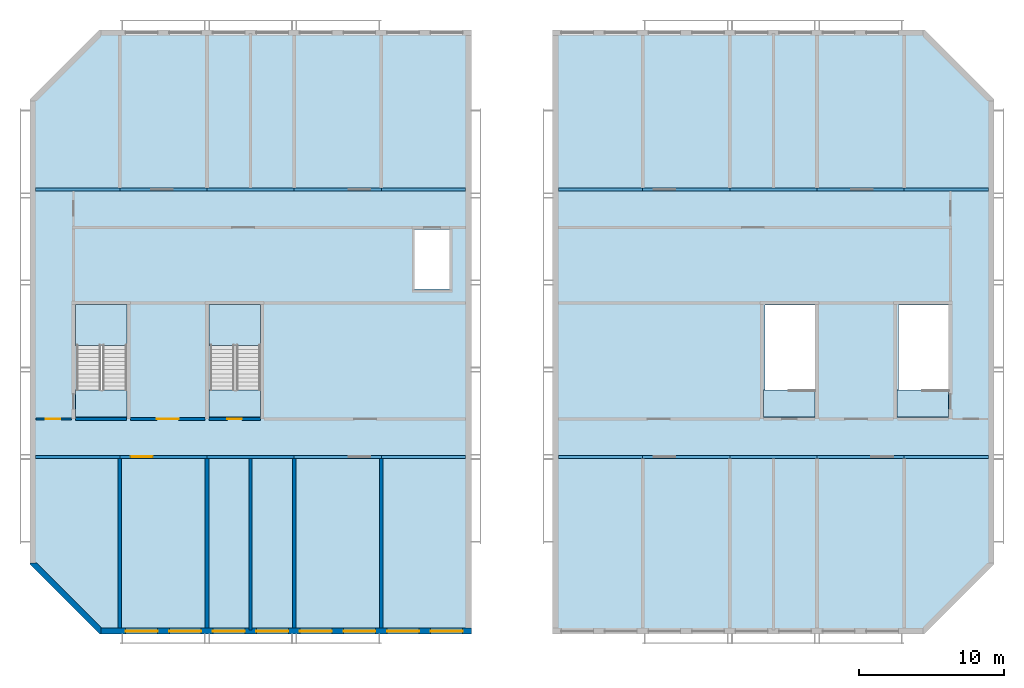
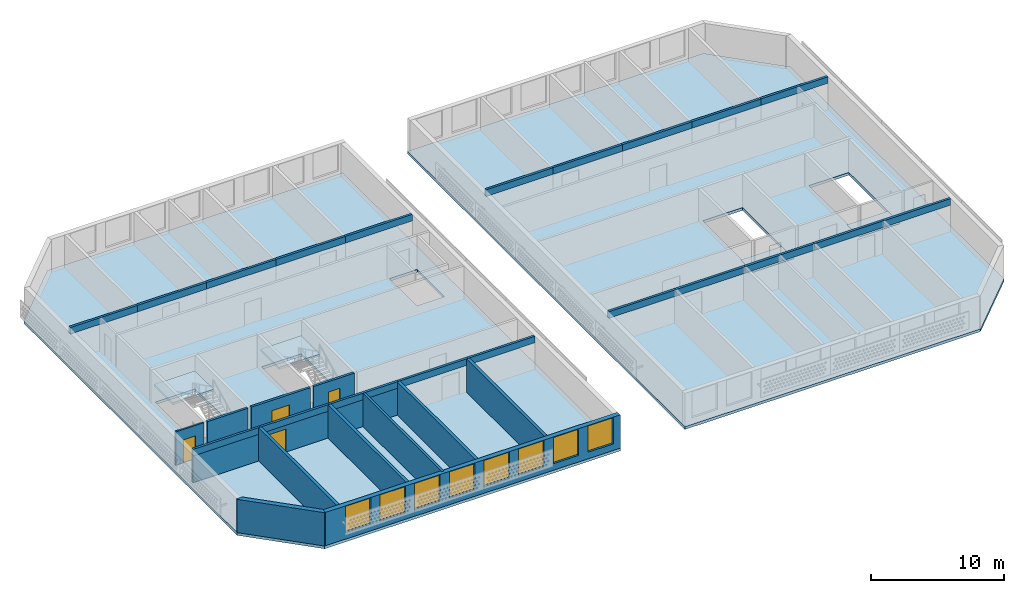
# One storey, part 1 of 16: 20 beams, 14 walls, 8 slabs, 8 windows, 4 doors, 12 openings, 2 elements without a shape of their own.
"""IFC4 building model written with IfcOpenShell, lengths in metres."""

from ifc_helpers import new_model, si_unit, direction, frame, frame_2d, origin, origin_2d, place, context, subcontext, project, spatial, polyline, rectangle, outline, extrude, source, transform, mapped, material, layer, layer_set, material_profile, profile_set, type_object, element, fill, aggregate, save


model = new_model("IFC4")

# Units and contexts
model_context = context("Model", 3, precision=1e-05, world=origin(), true_north=direction((0.0, 1.0)))
body_context = subcontext(model_context, "Body", "Model", "MODEL_VIEW")
ifc_project = project(units=[si_unit("LENGTHUNIT", "METRE"), si_unit("AREAUNIT", "SQUARE_METRE"), si_unit("VOLUMEUNIT", "CUBIC_METRE"), si_unit("PLANEANGLEUNIT", "RADIAN"), si_unit("MASSUNIT", "GRAM", prefix="KILO")], contexts=[model_context])

# Site, building, storey
site_placement = place(None, origin())
site = spatial("IfcSite", under=ifc_project, at=site_placement, CompositionType="ELEMENT")
building_placement = place(site_placement, origin())
building = spatial("IfcBuilding", under=site, at=building_placement, Name="Poui Terraces", CompositionType="ELEMENT")
storey_placement = place(building_placement, frame((0.0, 0.0, 282.300048828125)))
storey = spatial("IfcBuildingStorey", under=building, at=storey_placement, Name="L78 CROWN", CompositionType="ELEMENT", Elevation=282.300048828125)

# Beams
ifc_material_1 = material(Name="Concrete 50 MPa", Category="concrete")
ifc_material_profile = material_profile(ifc_material_1, rectangle(XDim=0.199951171875, YDim=0.60009765625, at=origin_2d()), Name="RC 200x600")
ifc_profile_set = profile_set([ifc_material_profile], Name="Concrete 50 MPa")
beam_type = type_object("IfcBeamType", Name="COUPLING BEAM 200x600 50MPa", PredefinedType="BEAM", material=ifc_profile_set)
shared_shape_1 = source(origin(), body_context, "Body", "SweptSolid", [
    extrude(rectangle(XDim=0.199951171875, YDim=0.60009765625, at=origin_2d()), origin(), (0.0, 0.0, 1.0), 5.800048828125),
])
for number, where, z_axis, x_axis, name in (
    (1, (18.199951171875, 12.0, 2.75), (1.0, 0.0, 0.0), (0.0, 1.0, 0.0), "COUPLING BEAM LINE B BAY W1"),
    (2, (42.0, 12.0, 2.75), (1.0, 0.0, 0.0), (0.0, 1.0, 0.0), "COUPLING BEAM LINE B BAY W5"),
    (3, (18.199951171875, 30.39990234375, 2.75), (1.0, 0.0, 0.0), (0.0, 1.0, 0.0), "COUPLING BEAM LINE E BAY W1"),
    (4, (42.0, 30.39990234375, 2.75), (1.0, 0.0, 0.0), (0.0, 1.0, 0.0), "COUPLING BEAM LINE E BAY W5"),
    (5, (54.199951171875, 12.0, 2.75), (1.0, 0.0, 0.0), (0.0, 1.0, 0.0), "COUPLING BEAM LINE B BAY E1"),
    (6, (78.0, 12.0, 2.75), (1.0, 0.0, 0.0), (0.0, 1.0, 0.0), "COUPLING BEAM LINE B BAY E5"),
    (7, (54.199951171875, 30.39990234375, 2.75), (1.0, 0.0, 0.0), (0.0, 1.0, 0.0), "COUPLING BEAM LINE E BAY E1"),
    (8, (78.0, 30.39990234375, 2.75), (1.0, 0.0, 0.0), (0.0, 1.0, 0.0), "COUPLING BEAM LINE E BAY E5"),
):
    element("IfcBeam", number, at=place(storey_placement, frame(where, z_axis=z_axis, x_axis=x_axis)), inside=storey, type_object=beam_type, Name=name, PredefinedType="BEAM", context=body_context, shape_type="MappedRepresentation", body=[
        mapped(shared_shape_1, transform((0.0, 0.0, 0.0))),
    ])
shared_shape_2 = source(origin(), body_context, "Body", "SweptSolid", [
    extrude(rectangle(XDim=0.199951171875, YDim=0.60009765625, at=origin_2d()), origin(), (0.0, 0.0, 1.0), 6.0),
])
for number, where, z_axis, x_axis, name in (
    (9, (24.0, 12.0, 2.75), (1.0, 0.0, 0.0), (0.0, 1.0, 0.0), "COUPLING BEAM LINE B BAY W2"),
    (10, (30.0, 12.0, 2.75), (1.0, 0.0, 0.0), (0.0, 1.0, 0.0), "COUPLING BEAM LINE B BAY W3"),
    (11, (36.0, 12.0, 2.75), (1.0, 0.0, 0.0), (0.0, 1.0, 0.0), "COUPLING BEAM LINE B BAY W4"),
    (12, (24.0, 30.39990234375, 2.75), (1.0, 0.0, 0.0), (0.0, 1.0, 0.0), "COUPLING BEAM LINE E BAY W2"),
    (13, (30.0, 30.39990234375, 2.75), (1.0, 0.0, 0.0), (0.0, 1.0, 0.0), "COUPLING BEAM LINE E BAY W3"),
    (14, (36.0, 30.39990234375, 2.75), (1.0, 0.0, 0.0), (0.0, 1.0, 0.0), "COUPLING BEAM LINE E BAY W4"),
    (15, (60.0, 12.0, 2.75), (1.0, 0.0, 0.0), (0.0, 1.0, 0.0), "COUPLING BEAM LINE B BAY E2"),
    (16, (66.0, 12.0, 2.75), (1.0, 0.0, 0.0), (0.0, 1.0, 0.0), "COUPLING BEAM LINE B BAY E3"),
    (17, (72.0, 12.0, 2.75), (1.0, 0.0, 0.0), (0.0, 1.0, 0.0), "COUPLING BEAM LINE B BAY E4"),
    (18, (60.0, 30.39990234375, 2.75), (1.0, 0.0, 0.0), (0.0, 1.0, 0.0), "COUPLING BEAM LINE E BAY E2"),
    (19, (66.0, 30.39990234375, 2.75), (1.0, 0.0, 0.0), (0.0, 1.0, 0.0), "COUPLING BEAM LINE E BAY E3"),
    (20, (72.0, 30.39990234375, 2.75), (1.0, 0.0, 0.0), (0.0, 1.0, 0.0), "COUPLING BEAM LINE E BAY E4"),
):
    element("IfcBeam", number, at=place(storey_placement, frame(where, z_axis=z_axis, x_axis=x_axis)), inside=storey, type_object=beam_type, Name=name, PredefinedType="BEAM", context=body_context, shape_type="MappedRepresentation", body=[
        mapped(shared_shape_2, transform((0.0, 0.0, 0.0))),
    ])

# Slab
ifc_layer_1 = layer(ifc_material_1, 0.199951171875)
ifc_layer_set_1 = layer_set([ifc_layer_1], Name="Concrete 50 MPa")
slab_type_1 = type_object("IfcSlabType", Name="STAIR LANDING 200 50 MPA", PredefinedType="LANDING", material=ifc_layer_set_1)
slab_1_placement = place(storey_placement, frame((0.0, 0.0, -0.2001953125)))
element("IfcSlab", 21, at=slab_1_placement, inside=storey, type_object=slab_type_1, Name="ST-CE floor landing L78 CROWN", PredefinedType="LANDING", context=body_context, shape_type="SweptSolid", body=[
    extrude(outline(polyline([(68.324951171875, 14.75), (71.875, 14.75), (71.875, 16.60009765625), (68.324951171875, 16.60009765625), (68.324951171875, 14.75)])), origin(), (0.0, 0.0, 1.0), 0.2001953125),
])

# Stair, slabs
stair_type = type_object("IfcStairType", Name="EXIT STAIR 1650 50 MPA", PredefinedType="HALF_TURN_STAIR", material=ifc_material_1)
stair_1_placement = place(storey_placement, origin())
stair_1 = element("IfcStair", 22, at=stair_1_placement, inside=storey, type_object=stair_type, Name="L78 CROWN CORE STAIR WEST", PredefinedType="HALF_TURN_STAIR")
slab_2_placement = place(storey_placement, frame((0.0, 0.0, 1.449951171875)))
slab_2 = element("IfcSlab", 23, at=slab_2_placement, type_object=slab_type_1, Name="ST-CW landing 1", PredefinedType="LANDING", context=body_context, shape_type="SweptSolid", body=[
    extrude(outline(polyline([(30.125, 19.679931640625), (33.675048828125, 19.679931640625), (33.675048828125, 22.47509765625), (30.125, 22.47509765625), (30.125, 19.679931640625)])), origin(), (0.0, 0.0, 1.0), 0.199951171875),
])
slab_3_placement = place(storey_placement, frame((0.0, 0.0, -0.2001953125)))
slab_3 = element("IfcSlab", 24, at=slab_3_placement, type_object=slab_type_1, Name="ST-CW landing 2", PredefinedType="LANDING", context=body_context, shape_type="SweptSolid", body=[
    extrude(outline(polyline([(30.125, 14.75), (33.675048828125, 14.75), (33.675048828125, 16.60009765625), (30.125, 16.60009765625), (30.125, 14.75)])), origin(), (0.0, 0.0, 1.0), 0.2001953125),
])
aggregate(stair_1, [slab_2, slab_3])

# Slab
slab_4_placement = place(storey_placement, frame((0.0, 0.0, -0.2001953125)))
element("IfcSlab", 25, at=slab_4_placement, inside=storey, type_object=slab_type_1, Name="ST-E floor landing L78 CROWN", PredefinedType="LANDING", context=body_context, shape_type="SweptSolid", body=[
    extrude(outline(polyline([(77.52490234375, 14.75), (81.074951171875, 14.75), (81.074951171875, 16.60009765625), (77.52490234375, 16.60009765625), (77.52490234375, 14.75)])), origin(), (0.0, 0.0, 1.0), 0.2001953125),
])

# Stair, slabs
stair_2_placement = place(storey_placement, origin())
stair_2 = element("IfcStair", 26, at=stair_2_placement, inside=storey, type_object=stair_type, Name="L78 CROWN TIP STAIR WEST", PredefinedType="HALF_TURN_STAIR")
slab_5_placement = place(storey_placement, frame((0.0, 0.0, 1.449951171875)))
slab_5 = element("IfcSlab", 27, at=slab_5_placement, type_object=slab_type_1, Name="ST-W landing 1", PredefinedType="LANDING", context=body_context, shape_type="SweptSolid", body=[
    extrude(outline(polyline([(20.925048828125, 19.679931640625), (24.47509765625, 19.679931640625), (24.47509765625, 22.47509765625), (20.925048828125, 22.47509765625), (20.925048828125, 19.679931640625)])), origin(), (0.0, 0.0, 1.0), 0.199951171875),
])
slab_6_placement = place(storey_placement, frame((0.0, 0.0, -0.2001953125)))
slab_6 = element("IfcSlab", 28, at=slab_6_placement, type_object=slab_type_1, Name="ST-W landing 2", PredefinedType="LANDING", context=body_context, shape_type="SweptSolid", body=[
    extrude(outline(polyline([(20.925048828125, 14.75), (24.47509765625, 14.75), (24.47509765625, 16.60009765625), (20.925048828125, 16.60009765625), (20.925048828125, 14.75)])), origin(), (0.0, 0.0, 1.0), 0.2001953125),
])
aggregate(stair_2, [slab_5, slab_6])

# Slabs
ifc_material_2 = material(Name="Concrete 40 MPa", Category="concrete")
ifc_layer_2 = layer(ifc_material_2, 0.25)
ifc_layer_set_2 = layer_set([ifc_layer_2], Name="Concrete 40 MPa")
slab_type_2 = type_object("IfcSlabType", Name="FLOOR SLAB 250", PredefinedType="FLOOR", material=ifc_layer_set_2)
shared_shape_3 = source(origin(), body_context, "Body", "SweptSolid", [
    extrude(outline(polyline([(0.0, 0.0), (4.800048828125, -4.800048828125), (30.39990234375, -4.800048828125), (30.39990234375, 36.7998046875), (4.800048828125, 36.7998046875), (0.0, 32.0), (0.0, 0.0)]), holes=[polyline([(3.125, 12.0), (3.224853515625, 12.0), (3.224853515625, 17.849853515625), (6.675048828125, 17.849853515625), (6.675048828125, 12.0), (6.675048828125, 10.14990234375), (3.125, 10.14990234375), (3.125, 12.0)]), polyline([(12.324951171875, 12.0), (12.425048828125, 12.0), (12.425048828125, 17.849853515625), (15.875, 17.849853515625), (15.875, 12.0), (15.875, 10.14990234375), (12.324951171875, 10.14990234375), (12.324951171875, 12.0)]), polyline([(28.89990234375, 18.949951171875), (26.5, 18.949951171875), (26.5, 23.0498046875), (28.89990234375, 23.0498046875), (28.89990234375, 18.949951171875)])]), origin(), (0.0, 0.0, 1.0), 0.250244140625),
])
slab_7_placement = place(storey_placement, frame((17.800048828125, 4.60009765625, -0.250244140625)))
element("IfcSlab", 29, at=slab_7_placement, inside=storey, type_object=slab_type_2, Name="FLOOR SLAB", PredefinedType="FLOOR", context=body_context, shape_type="MappedRepresentation", body=[
    mapped(shared_shape_3, transform((0.0, 0.0, 0.0))),
])
shared_shape_4 = source(origin(), body_context, "Body", "SweptSolid", [
    extrude(outline(polyline([(0.0, 0.0), (0.0, -41.599853515625), (25.599853515625, -41.599853515625), (30.39990234375, -36.7998046875), (30.39990234375, -4.7998046875), (25.599853515625, 0.0), (0.0, 0.0)]), holes=[polyline([(14.52490234375, -24.7998046875), (14.625, -24.7998046875), (14.625, -18.949951171875), (18.074951171875, -18.949951171875), (18.074951171875, -24.7998046875), (18.074951171875, -26.64990234375), (14.52490234375, -26.64990234375), (14.52490234375, -24.7998046875)]), polyline([(23.824951171875, -24.7998046875), (23.824951171875, -18.949951171875), (27.27490234375, -18.949951171875), (27.27490234375, -24.7998046875), (27.27490234375, -26.64990234375), (23.724853515625, -26.64990234375), (23.724853515625, -24.7998046875), (23.824951171875, -24.7998046875)])]), origin(), (0.0, 0.0, 1.0), 0.250244140625),
])
slab_8_placement = place(storey_placement, frame((53.800048828125, 41.39990234375, -0.250244140625)))
element("IfcSlab", 30, at=slab_8_placement, inside=storey, type_object=slab_type_2, Name="FLOOR SLAB", PredefinedType="FLOOR", context=body_context, shape_type="MappedRepresentation", body=[
    mapped(shared_shape_4, transform((0.0, 0.0, 0.0))),
])

# Wall, opening, door
ifc_material_3 = material(Name="Fire-rated plasterboard wall")
ifc_layer_3 = layer(ifc_material_3, 0.14990234375)
ifc_layer_set_3 = layer_set([ifc_layer_3], Name="Fire-rated plasterboard wall")
wall_type_1 = type_object("IfcWallType", Name="CORRIDOR WALL 150", PredefinedType="PARTITIONING", material=ifc_layer_set_3)
wall_1_placement = place(storey_placement, frame((18.2099609375, 14.60009765625, 0.0), z_axis=(0.0, 0.0, 1.0), x_axis=(1.0, 0.0, 0.0)))
wall_1 = element("IfcWall", 31, at=wall_1_placement, inside=storey, type_object=wall_type_1, Name="CORRIDOR WALL 150", PredefinedType="PARTITIONING", context=body_context, shape_type="SweptSolid", body=[
    extrude(rectangle(XDim=2.455078125, YDim=0.14990234375, at=frame_2d((1.2275390625, 0.0))), origin(), (0.0, 0.0, 1.0), 3.050048828125),
])
opening_1_placement = place(wall_1_placement, frame((0.68994140625, 0.0, 0.0)))
opening_1 = element("IfcOpeningElement", 32, at=opening_1_placement, cuts=wall_1, Name="Opening FDL", PredefinedType="OPENING", context=body_context, shape_type="SweptSolid", body=[
    extrude(rectangle(XDim=1.0, YDim=2.10009765625, at=frame_2d((0.5, 1.050048828125))), frame((0.0, 0.0849609375, 0.0), z_axis=(0.0, -1.0, 0.0), x_axis=(1.0, 0.0, 0.0)), (0.0, 0.0, 1.0), 0.169921875),
])
ifc_material_4 = material(Name="Steel fire door", Category="steel")
door_type_1 = type_object("IfcDoorType", Name="LOBBY FIRE DOOR 1000 X 2100", OperationType="NOTDEFINED", PredefinedType="DOOR", material=ifc_material_4)
door_1_placement = place(opening_1_placement, origin())
door_1 = element("IfcDoor", 33, at=door_1_placement, inside=storey, type_object=door_type_1, Name="LOBBY FIRE DOOR 020", OperationType="SINGLE_SWING_RIGHT", OverallHeight=2.10009765625, OverallWidth=1.0, PredefinedType="DOOR", context=body_context, shape_type="SweptSolid", body=[
    extrude(rectangle(XDim=1.0, YDim=2.10009765625, at=frame_2d((0.5, 1.050048828125))), frame((0.0, 0.02490234375, 0.0), z_axis=(0.0, -1.0, 0.0), x_axis=(1.0, 0.0, 0.0)), (0.0, 0.0, 1.0), 0.050048828125),
])
fill(opening_1, door_1)

# Wall
ifc_layer_4 = layer(ifc_material_1, 0.199951171875)
ifc_layer_set_4 = layer_set([ifc_layer_4], Name="Concrete 50 MPa")
wall_type_2 = type_object("IfcWallType", Name="CORRIDOR WALL 200 50MPa", PredefinedType="SHEAR", material=ifc_layer_set_4)
wall_2_placement = place(storey_placement, frame((18.199951171875, 12.0, 0.0), z_axis=(0.0, 0.0, 1.0), x_axis=(1.0, 0.0, 0.0)))
element("IfcWall", 34, at=wall_2_placement, inside=storey, type_object=wall_type_2, Name="CORRIDOR WALL LINE B BAY W1", PredefinedType="SHEAR", context=body_context, shape_type="SweptSolid", body=[
    extrude(rectangle(XDim=5.800048828125, YDim=0.199951171875, at=frame_2d((2.89990234375, 0.0))), origin(), (0.0, 0.0, 1.0), 2.449951171875),
])

# Wall, opening, door
wall_3_placement = place(storey_placement, frame((24.0, 12.0, 0.0), z_axis=(0.0, 0.0, 1.0), x_axis=(1.0, 0.0, 0.0)))
wall_3 = element("IfcWall", 35, at=wall_3_placement, inside=storey, type_object=wall_type_2, Name="CORRIDOR WALL LINE B BAY W2", PredefinedType="SHEAR", context=body_context, shape_type="SweptSolid", body=[
    extrude(rectangle(XDim=6.0, YDim=0.199951171875, at=frame_2d((3.0, 0.0))), origin(), (0.0, 0.0, 1.0), 2.449951171875),
])
opening_2_placement = place(wall_3_placement, frame((0.75, 0.0, 0.0)))
opening_2 = element("IfcOpeningElement", 36, at=opening_2_placement, cuts=wall_3, Name="Opening FDP", PredefinedType="OPENING", context=body_context, shape_type="SweptSolid", body=[
    extrude(rectangle(XDim=1.5, YDim=2.10009765625, at=frame_2d((0.75, 1.050048828125))), frame((0.0, 0.10986328125, 0.0), z_axis=(0.0, -1.0, 0.0), x_axis=(1.0, 0.0, 0.0)), (0.0, 0.0, 1.0), 0.219970703125),
])
door_type_2 = type_object("IfcDoorType", Name="PLANT ROOM DOOR PAIR 1500 X 2100", OperationType="DOUBLE_DOOR_SINGLE_SWING", PredefinedType="DOOR", material=ifc_material_4)
door_2_placement = place(opening_2_placement, origin())
door_2 = element("IfcDoor", 37, at=door_2_placement, inside=storey, type_object=door_type_2, Name="PLANT ROOM DOOR PAIR 016", OperationType="DOUBLE_DOOR_SINGLE_SWING", OverallHeight=2.10009765625, OverallWidth=1.5, PredefinedType="DOOR", context=body_context, shape_type="SweptSolid", body=[
    extrude(rectangle(XDim=1.5, YDim=2.10009765625, at=frame_2d((0.75, 1.050048828125))), frame((0.0, 0.02490234375, 0.0), z_axis=(0.0, -1.0, 0.0), x_axis=(1.0, 0.0, 0.0)), (0.0, 0.0, 1.0), 0.050048828125),
])
fill(opening_2, door_2)

# Walls
wall_4_placement = place(storey_placement, frame((30.0, 12.0, 0.0), z_axis=(0.0, 0.0, 1.0), x_axis=(1.0, 0.0, 0.0)))
element("IfcWall", 38, at=wall_4_placement, inside=storey, type_object=wall_type_2, Name="CORRIDOR WALL LINE B BAY W3", PredefinedType="SHEAR", context=body_context, shape_type="SweptSolid", body=[
    extrude(rectangle(XDim=6.0, YDim=0.199951171875, at=frame_2d((3.0, 0.0))), origin(), (0.0, 0.0, 1.0), 2.449951171875),
])
ifc_layer_5 = layer(ifc_material_1, 0.25)
ifc_layer_set_5 = layer_set([ifc_layer_5], Name="Concrete 50 MPa")
wall_type_3 = type_object("IfcWallType", Name="CROSS WALL 250 50MPa", PredefinedType="SHEAR", material=ifc_layer_set_5)
for number, where, z_axis, x_axis, name in (
    (39, (24.0, 0.199951171875, 0.0), (0.0, 0.0, 1.0), (0.0, 1.0, 0.0), "CROSS WALL LINE 5 SOUTH"),
    (40, (30.0, 0.199951171875, 0.0), (0.0, 0.0, 1.0), (0.0, 1.0, 0.0), "CROSS WALL LINE 6 SOUTH"),
    (41, (36.0, 0.199951171875, 0.0), (0.0, 0.0, 1.0), (0.0, 1.0, 0.0), "CROSS WALL LINE 7 SOUTH"),
    (42, (42.0, 0.199951171875, 0.0), (0.0, 0.0, 1.0), (0.0, 1.0, 0.0), "CROSS WALL LINE 8 SOUTH"),
):
    element("IfcWall", number, at=place(storey_placement, frame(where, z_axis=z_axis, x_axis=x_axis)), inside=storey, type_object=wall_type_3, Name=name, PredefinedType="SHEAR", context=body_context, shape_type="SweptSolid", body=[
        extrude(rectangle(XDim=11.699951171875, YDim=0.25, at=frame_2d((5.85009765625, 0.0))), origin(), (0.0, 0.0, 1.0), 3.050048828125),
    ])

# Wall, openings, windows
ifc_material_5 = material(Name="Precast concrete 40 MPa", Category="concrete")
ifc_layer_6 = layer(ifc_material_5, 0.39990234375)
ifc_layer_set_6 = layer_set([ifc_layer_6], Name="Precast concrete 40 MPa")
wall_type_4 = type_object("IfcWallType", Name="EXTERNAL WALL 400", PredefinedType="STANDARD", material=ifc_layer_set_6)
wall_5_placement = place(storey_placement, frame((22.682861328125, 0.0, 0.0), z_axis=(0.0, 0.0, 1.0), x_axis=(1.0, 0.0, 0.0)))
wall_5 = element("IfcWall", 43, at=wall_5_placement, inside=storey, type_object=wall_type_4, Name="EXTERNAL WALL S", PredefinedType="STANDARD", context=body_context, shape_type="SweptSolid", body=[
    extrude(rectangle(XDim=25.51708984375, YDim=0.39990234375, at=frame_2d((12.758544921875, 0.0))), origin(), (0.0, 0.0, 1.0), 3.050048828125),
])
opening_3_placement = place(wall_5_placement, frame((1.71728515625, 0.0, 0.60009765625)))
opening_3 = element("IfcOpeningElement", 44, at=opening_3_placement, cuts=wall_5, Name="Opening W5", PredefinedType="OPENING", context=body_context, shape_type="SweptSolid", body=[
    extrude(rectangle(XDim=2.199951171875, YDim=2.39990234375, at=frame_2d((1.10009765625, 1.199951171875))), frame((0.0, 0.2099609375, 0.0), z_axis=(0.0, -1.0, 0.0), x_axis=(1.0, 0.0, 0.0)), (0.0, 0.0, 1.0), 0.419921875),
])
opening_4_placement = place(wall_5_placement, frame((4.71728515625, 0.0, 0.60009765625)))
opening_4 = element("IfcOpeningElement", 45, at=opening_4_placement, cuts=wall_5, Name="Opening W5", PredefinedType="OPENING", context=body_context, shape_type="SweptSolid", body=[
    extrude(rectangle(XDim=2.199951171875, YDim=2.39990234375, at=frame_2d((1.10009765625, 1.199951171875))), frame((0.0, 0.2099609375, 0.0), z_axis=(0.0, -1.0, 0.0), x_axis=(1.0, 0.0, 0.0)), (0.0, 0.0, 1.0), 0.419921875),
])
opening_5_placement = place(wall_5_placement, frame((7.71728515625, 0.0, 0.60009765625)))
opening_5 = element("IfcOpeningElement", 46, at=opening_5_placement, cuts=wall_5, Name="Opening W5", PredefinedType="OPENING", context=body_context, shape_type="SweptSolid", body=[
    extrude(rectangle(XDim=2.199951171875, YDim=2.39990234375, at=frame_2d((1.10009765625, 1.199951171875))), frame((0.0, 0.2099609375, 0.0), z_axis=(0.0, -1.0, 0.0), x_axis=(1.0, 0.0, 0.0)), (0.0, 0.0, 1.0), 0.419921875),
])
opening_6_placement = place(wall_5_placement, frame((10.71728515625, 0.0, 0.60009765625)))
opening_6 = element("IfcOpeningElement", 47, at=opening_6_placement, cuts=wall_5, Name="Opening W5", PredefinedType="OPENING", context=body_context, shape_type="SweptSolid", body=[
    extrude(rectangle(XDim=2.199951171875, YDim=2.39990234375, at=frame_2d((1.10009765625, 1.199951171875))), frame((0.0, 0.2099609375, 0.0), z_axis=(0.0, -1.0, 0.0), x_axis=(1.0, 0.0, 0.0)), (0.0, 0.0, 1.0), 0.419921875),
])
opening_7_placement = place(wall_5_placement, frame((13.71728515625, 0.0, 0.60009765625)))
opening_7 = element("IfcOpeningElement", 48, at=opening_7_placement, cuts=wall_5, Name="Opening W5", PredefinedType="OPENING", context=body_context, shape_type="SweptSolid", body=[
    extrude(rectangle(XDim=2.199951171875, YDim=2.39990234375, at=frame_2d((1.10009765625, 1.199951171875))), frame((0.0, 0.2099609375, 0.0), z_axis=(0.0, -1.0, 0.0), x_axis=(1.0, 0.0, 0.0)), (0.0, 0.0, 1.0), 0.419921875),
])
opening_8_placement = place(wall_5_placement, frame((16.71728515625, 0.0, 0.60009765625)))
opening_8 = element("IfcOpeningElement", 49, at=opening_8_placement, cuts=wall_5, Name="Opening W5", PredefinedType="OPENING", context=body_context, shape_type="SweptSolid", body=[
    extrude(rectangle(XDim=2.199951171875, YDim=2.39990234375, at=frame_2d((1.10009765625, 1.199951171875))), frame((0.0, 0.2099609375, 0.0), z_axis=(0.0, -1.0, 0.0), x_axis=(1.0, 0.0, 0.0)), (0.0, 0.0, 1.0), 0.419921875),
])
opening_9_placement = place(wall_5_placement, frame((19.71728515625, 0.0, 0.60009765625)))
opening_9 = element("IfcOpeningElement", 50, at=opening_9_placement, cuts=wall_5, Name="Opening W5", PredefinedType="OPENING", context=body_context, shape_type="SweptSolid", body=[
    extrude(rectangle(XDim=2.199951171875, YDim=2.39990234375, at=frame_2d((1.10009765625, 1.199951171875))), frame((0.0, 0.2099609375, 0.0), z_axis=(0.0, -1.0, 0.0), x_axis=(1.0, 0.0, 0.0)), (0.0, 0.0, 1.0), 0.419921875),
])
opening_10_placement = place(wall_5_placement, frame((22.71728515625, 0.0, 0.60009765625)))
opening_10 = element("IfcOpeningElement", 51, at=opening_10_placement, cuts=wall_5, Name="Opening W5", PredefinedType="OPENING", context=body_context, shape_type="SweptSolid", body=[
    extrude(rectangle(XDim=2.199951171875, YDim=2.39990234375, at=frame_2d((1.10009765625, 1.199951171875))), frame((0.0, 0.2099609375, 0.0), z_axis=(0.0, -1.0, 0.0), x_axis=(1.0, 0.0, 0.0)), (0.0, 0.0, 1.0), 0.419921875),
])
ifc_material_6 = material(Name="Clear glass in aluminium frame", Category="aluminium")
window_type = type_object("IfcWindowType", Name="WINDOW 2200X2400", PartitioningType="TRIPLE_PANEL_HORIZONTAL", PredefinedType="WINDOW", material=ifc_material_6)
window_1_placement = place(opening_3_placement, origin())
window_1 = element("IfcWindow", 52, at=window_1_placement, inside=storey, type_object=window_type, Name="W5 WINDOW", OverallHeight=2.39990234375, OverallWidth=2.199951171875, PartitioningType="TRIPLE_PANEL_HORIZONTAL", PredefinedType="WINDOW", context=body_context, shape_type="SweptSolid", body=[
    extrude(rectangle(XDim=2.199951171875, YDim=2.39990234375, at=frame_2d((1.10009765625, 1.199951171875))), frame((0.0, 0.030029296875, 0.0), z_axis=(0.0, -1.0, 0.0), x_axis=(1.0, 0.0, 0.0)), (0.0, 0.0, 1.0), 0.06005859375),
])
fill(opening_3, window_1)
window_2_placement = place(opening_4_placement, origin())
window_2 = element("IfcWindow", 53, at=window_2_placement, inside=storey, type_object=window_type, Name="W5 WINDOW", OverallHeight=2.39990234375, OverallWidth=2.199951171875, PartitioningType="TRIPLE_PANEL_HORIZONTAL", PredefinedType="WINDOW", context=body_context, shape_type="SweptSolid", body=[
    extrude(rectangle(XDim=2.199951171875, YDim=2.39990234375, at=frame_2d((1.10009765625, 1.199951171875))), frame((0.0, 0.030029296875, 0.0), z_axis=(0.0, -1.0, 0.0), x_axis=(1.0, 0.0, 0.0)), (0.0, 0.0, 1.0), 0.06005859375),
])
fill(opening_4, window_2)
window_3_placement = place(opening_5_placement, origin())
window_3 = element("IfcWindow", 54, at=window_3_placement, inside=storey, type_object=window_type, Name="W5 WINDOW", OverallHeight=2.39990234375, OverallWidth=2.199951171875, PartitioningType="TRIPLE_PANEL_HORIZONTAL", PredefinedType="WINDOW", context=body_context, shape_type="SweptSolid", body=[
    extrude(rectangle(XDim=2.199951171875, YDim=2.39990234375, at=frame_2d((1.10009765625, 1.199951171875))), frame((0.0, 0.030029296875, 0.0), z_axis=(0.0, -1.0, 0.0), x_axis=(1.0, 0.0, 0.0)), (0.0, 0.0, 1.0), 0.06005859375),
])
fill(opening_5, window_3)
window_4_placement = place(opening_6_placement, origin())
window_4 = element("IfcWindow", 55, at=window_4_placement, inside=storey, type_object=window_type, Name="W5 WINDOW", OverallHeight=2.39990234375, OverallWidth=2.199951171875, PartitioningType="TRIPLE_PANEL_HORIZONTAL", PredefinedType="WINDOW", context=body_context, shape_type="SweptSolid", body=[
    extrude(rectangle(XDim=2.199951171875, YDim=2.39990234375, at=frame_2d((1.10009765625, 1.199951171875))), frame((0.0, 0.030029296875, 0.0), z_axis=(0.0, -1.0, 0.0), x_axis=(1.0, 0.0, 0.0)), (0.0, 0.0, 1.0), 0.06005859375),
])
fill(opening_6, window_4)
window_5_placement = place(opening_7_placement, origin())
window_5 = element("IfcWindow", 56, at=window_5_placement, inside=storey, type_object=window_type, Name="W5 WINDOW", OverallHeight=2.39990234375, OverallWidth=2.199951171875, PartitioningType="TRIPLE_PANEL_HORIZONTAL", PredefinedType="WINDOW", context=body_context, shape_type="SweptSolid", body=[
    extrude(rectangle(XDim=2.199951171875, YDim=2.39990234375, at=frame_2d((1.10009765625, 1.199951171875))), frame((0.0, 0.030029296875, 0.0), z_axis=(0.0, -1.0, 0.0), x_axis=(1.0, 0.0, 0.0)), (0.0, 0.0, 1.0), 0.06005859375),
])
fill(opening_7, window_5)
window_6_placement = place(opening_8_placement, origin())
window_6 = element("IfcWindow", 57, at=window_6_placement, inside=storey, type_object=window_type, Name="W5 WINDOW", OverallHeight=2.39990234375, OverallWidth=2.199951171875, PartitioningType="TRIPLE_PANEL_HORIZONTAL", PredefinedType="WINDOW", context=body_context, shape_type="SweptSolid", body=[
    extrude(rectangle(XDim=2.199951171875, YDim=2.39990234375, at=frame_2d((1.10009765625, 1.199951171875))), frame((0.0, 0.030029296875, 0.0), z_axis=(0.0, -1.0, 0.0), x_axis=(1.0, 0.0, 0.0)), (0.0, 0.0, 1.0), 0.06005859375),
])
fill(opening_8, window_6)
window_7_placement = place(opening_9_placement, origin())
window_7 = element("IfcWindow", 58, at=window_7_placement, inside=storey, type_object=window_type, Name="W5 WINDOW", OverallHeight=2.39990234375, OverallWidth=2.199951171875, PartitioningType="TRIPLE_PANEL_HORIZONTAL", PredefinedType="WINDOW", context=body_context, shape_type="SweptSolid", body=[
    extrude(rectangle(XDim=2.199951171875, YDim=2.39990234375, at=frame_2d((1.10009765625, 1.199951171875))), frame((0.0, 0.030029296875, 0.0), z_axis=(0.0, -1.0, 0.0), x_axis=(1.0, 0.0, 0.0)), (0.0, 0.0, 1.0), 0.06005859375),
])
fill(opening_9, window_7)
window_8_placement = place(opening_10_placement, origin())
window_8 = element("IfcWindow", 59, at=window_8_placement, inside=storey, type_object=window_type, Name="W5 WINDOW", OverallHeight=2.39990234375, OverallWidth=2.199951171875, PartitioningType="TRIPLE_PANEL_HORIZONTAL", PredefinedType="WINDOW", context=body_context, shape_type="SweptSolid", body=[
    extrude(rectangle(XDim=2.199951171875, YDim=2.39990234375, at=frame_2d((1.10009765625, 1.199951171875))), frame((0.0, 0.030029296875, 0.0), z_axis=(0.0, -1.0, 0.0), x_axis=(1.0, 0.0, 0.0)), (0.0, 0.0, 1.0), 0.06005859375),
])
fill(opening_10, window_8)

# Wall, opening, door
ifc_material_7 = material(Name="Fire-rated masonry wall", Category="masonry")
ifc_layer_7 = layer(ifc_material_7, 0.199951171875)
ifc_layer_set_7 = layer_set([ifc_layer_7], Name="Fire-rated masonry wall")
wall_type_5 = type_object("IfcWallType", Name="PLANT ROOM WALL 200", PredefinedType="PARTITIONING", material=ifc_layer_set_7)
wall_6_placement = place(storey_placement, frame((24.735107421875, 14.60009765625, 0.0), z_axis=(0.0, 0.0, 1.0), x_axis=(1.0, 0.0, 0.0)))
wall_6 = element("IfcWall", 60, at=wall_6_placement, inside=storey, type_object=wall_type_5, Name="PLANT ROOM WALL 200", PredefinedType="PARTITIONING", context=body_context, shape_type="SweptSolid", body=[
    extrude(rectangle(XDim=5.1298828125, YDim=0.199951171875, at=frame_2d((2.56494140625, 0.0))), origin(), (0.0, 0.0, 1.0), 3.050048828125),
])
opening_11_placement = place(wall_6_placement, frame((1.81494140625, 0.0, 0.0)))
opening_11 = element("IfcOpeningElement", 61, at=opening_11_placement, cuts=wall_6, Name="Opening FDP", PredefinedType="OPENING", context=body_context, shape_type="SweptSolid", body=[
    extrude(rectangle(XDim=1.5, YDim=2.10009765625, at=frame_2d((0.75, 1.050048828125))), frame((0.0, 0.10986328125, 0.0), z_axis=(0.0, -1.0, 0.0), x_axis=(1.0, 0.0, 0.0)), (0.0, 0.0, 1.0), 0.219970703125),
])
door_3_placement = place(opening_11_placement, frame((1.5, 0.0, 0.0), z_axis=(0.0, 0.0, 1.0), x_axis=(-1.0, 0.0, 0.0)))
door_3 = element("IfcDoor", 62, at=door_3_placement, inside=storey, type_object=door_type_2, Name="PLANT ROOM DOOR PAIR 017", OperationType="DOUBLE_DOOR_SINGLE_SWING", OverallHeight=2.10009765625, OverallWidth=1.5, PredefinedType="DOOR", context=body_context, shape_type="SweptSolid", body=[
    extrude(rectangle(XDim=1.5, YDim=2.10009765625, at=frame_2d((0.75, 1.050048828125))), frame((0.0, 0.02490234375, 0.0), z_axis=(0.0, -1.0, 0.0), x_axis=(1.0, 0.0, 0.0)), (0.0, 0.0, 1.0), 0.050048828125),
])
fill(opening_11, door_3)

# Walls
wall_7_placement = place(storey_placement, frame((33.0, 0.06005859375, 0.0), z_axis=(0.0, 0.0, 1.0), x_axis=(0.0, 1.0, 0.0)))
element("IfcWall", 63, at=wall_7_placement, inside=storey, type_object=wall_type_5, Name="PLANT ROOM WALL 200", PredefinedType="PARTITIONING", context=body_context, shape_type="SweptSolid", body=[
    extrude(rectangle(XDim=11.829833984375, YDim=0.199951171875, at=frame_2d((5.9150390625, 0.0))), origin(), (0.0, 0.0, 1.0), 3.050048828125),
])
ifc_layer_8 = layer(ifc_material_7, 0.199951171875)
ifc_layer_set_8 = layer_set([ifc_layer_8], Name="Fire-rated masonry wall")
wall_type_6 = type_object("IfcWallType", Name="STAIR WALL 200", PredefinedType="PARTITIONING", material=ifc_layer_set_8)
wall_8_placement = place(storey_placement, frame((20.93505859375, 14.60009765625, 0.0), z_axis=(0.0, 0.0, 1.0), x_axis=(1.0, 0.0, 0.0)))
element("IfcWall", 64, at=wall_8_placement, inside=storey, type_object=wall_type_6, Name="STAIR WALL 200", PredefinedType="PARTITIONING", context=body_context, shape_type="SweptSolid", body=[
    extrude(rectangle(XDim=3.530029296875, YDim=0.199951171875, at=frame_2d((1.76513671875, 0.0))), origin(), (0.0, 0.0, 1.0), 3.050048828125),
])

# Wall, opening, door
wall_9_placement = place(storey_placement, frame((30.135009765625, 14.60009765625, 0.0), z_axis=(0.0, 0.0, 1.0), x_axis=(1.0, 0.0, 0.0)))
wall_9 = element("IfcWall", 65, at=wall_9_placement, inside=storey, type_object=wall_type_6, Name="STAIR WALL 200", PredefinedType="PARTITIONING", context=body_context, shape_type="SweptSolid", body=[
    extrude(rectangle(XDim=3.530029296875, YDim=0.199951171875, at=frame_2d((1.76513671875, 0.0))), origin(), (0.0, 0.0, 1.0), 3.050048828125),
])
opening_12_placement = place(wall_9_placement, frame((1.264892578125, 0.0, 0.0)))
opening_12 = element("IfcOpeningElement", 66, at=opening_12_placement, cuts=wall_9, Name="Opening FD60S", PredefinedType="OPENING", context=body_context, shape_type="SweptSolid", body=[
    extrude(rectangle(XDim=1.0, YDim=2.10009765625, at=frame_2d((0.5, 1.050048828125))), frame((0.0, 0.10986328125, 0.0), z_axis=(0.0, -1.0, 0.0), x_axis=(1.0, 0.0, 0.0)), (0.0, 0.0, 1.0), 0.219970703125),
])
door_type_3 = type_object("IfcDoorType", Name="STAIR DOOR 1000 X 2100", OperationType="NOTDEFINED", PredefinedType="DOOR", material=ifc_material_4)
door_4_placement = place(opening_12_placement, frame((1.0, 0.0, 0.0), z_axis=(0.0, 0.0, 1.0), x_axis=(-1.0, 0.0, 0.0)))
door_4 = element("IfcDoor", 67, at=door_4_placement, inside=storey, type_object=door_type_3, Name="STAIR DOOR 023", OperationType="SINGLE_SWING_RIGHT", OverallHeight=2.10009765625, OverallWidth=1.0, PredefinedType="DOOR", context=body_context, shape_type="SweptSolid", body=[
    extrude(rectangle(XDim=1.0, YDim=2.10009765625, at=frame_2d((0.5, 1.050048828125))), frame((0.0, 0.02490234375, 0.0), z_axis=(0.0, -1.0, 0.0), x_axis=(1.0, 0.0, 0.0)), (0.0, 0.0, 1.0), 0.050048828125),
])
fill(opening_12, door_4)

# Wall
ifc_layer_9 = layer(ifc_material_5, 0.39990234375)
ifc_layer_set_9 = layer_set([ifc_layer_9], Name="Precast concrete 40 MPa")
wall_type_7 = type_object("IfcWallType", Name="TERRACOTTA CLAD CHAMFER WALL 400", PredefinedType="STANDARD", material=ifc_layer_set_9)
wall_10_placement = place(storey_placement, origin())
element("IfcWall", 68, at=wall_10_placement, inside=storey, type_object=wall_type_7, Name="CHAMFER WALL CH05", PredefinedType="STANDARD", context=body_context, shape_type="SweptSolid", body=[
    extrude(outline(polyline([(17.800048828125, 4.682861328125), (17.800048828125, 4.60009765625), (22.60009765625, -0.199951171875), (22.682861328125, -0.199951171875), (22.682861328125, 0.28271484375), (18.28271484375, 4.682861328125), (17.800048828125, 4.682861328125)])), origin(), (0.0, 0.0, 1.0), 3.050048828125),
])

save(model, "model.ifc")
